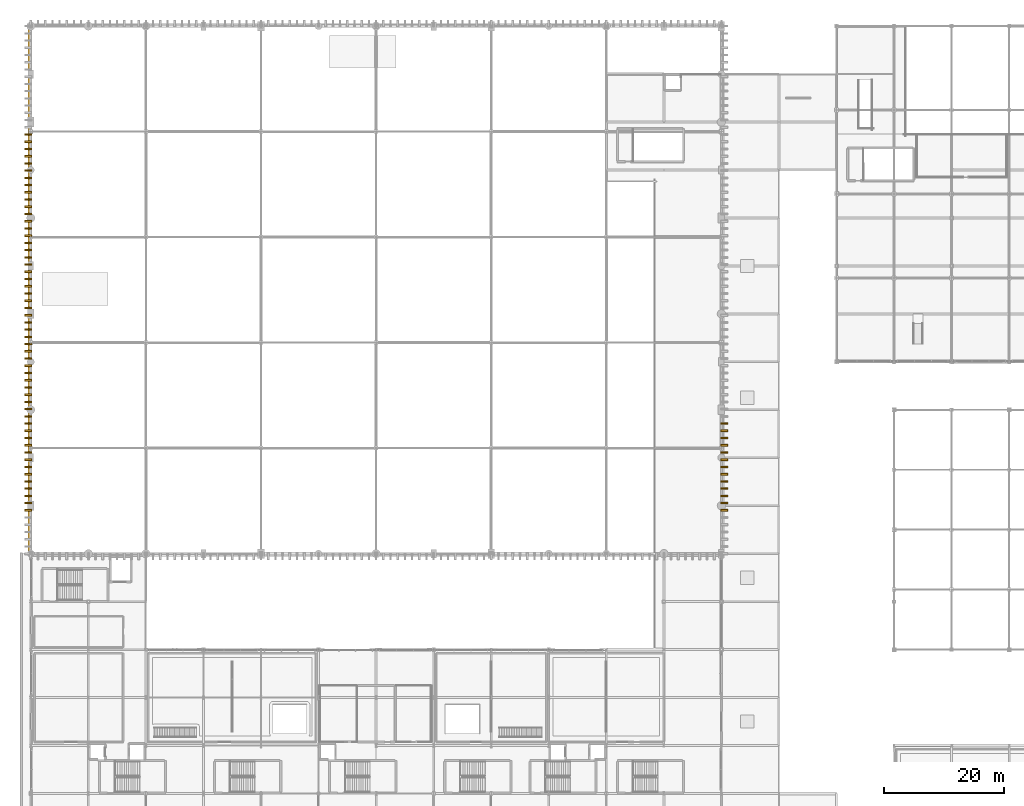
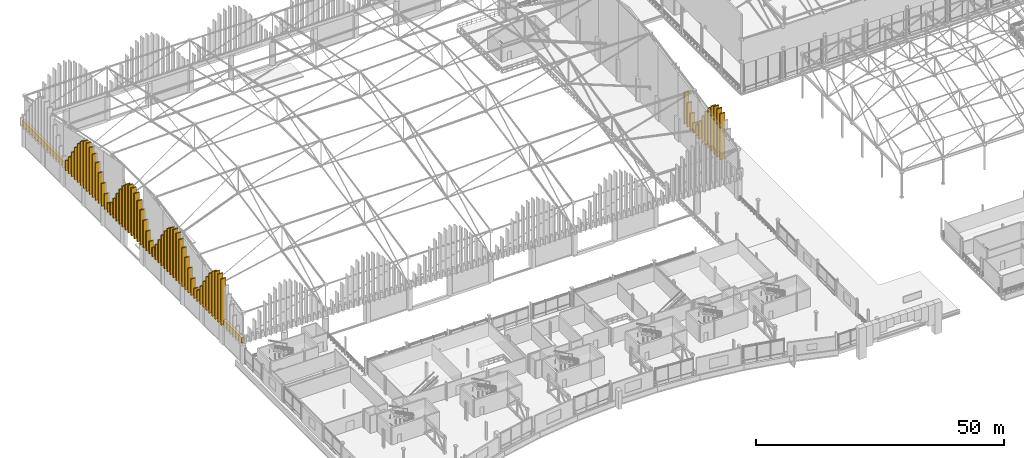
# One storey, part 181 of 193: 67 coverings.
"""IFC4 building model written with IfcOpenShell, lengths in metres."""

from ifc_helpers import new_model, si_unit, direction, frame, origin, origin_2d, place, context, subcontext, project, spatial, rectangle, extrude, material, layer, layer_set, type_object, element, save


model = new_model("IFC4")

# Units and contexts
model_context = context("Model", 3, precision=1e-05, world=origin(), true_north=direction((0.0, 1.0)))
body_context = subcontext(model_context, "Body", "Model", "MODEL_VIEW")
ifc_project = project(units=[si_unit("LENGTHUNIT", "METRE"), si_unit("AREAUNIT", "SQUARE_METRE"), si_unit("VOLUMEUNIT", "CUBIC_METRE"), si_unit("PLANEANGLEUNIT", "RADIAN"), si_unit("MASSUNIT", "GRAM", prefix="KILO")], contexts=[model_context])

# Site, building, storey
site_placement = place(None, origin())
site = spatial("IfcSite", under=ifc_project, at=site_placement, CompositionType="ELEMENT")
building_placement = place(site_placement, origin())
building = spatial("IfcBuilding", under=site, at=building_placement, Name="Danafjord Basin Convention Centre", CompositionType="ELEMENT")
storey_placement = place(building_placement, frame((0.0, 0.0, 11.39990234375)))
storey = spatial("IfcBuildingStorey", under=building, at=storey_placement, Name="L02", CompositionType="ELEMENT", Elevation=11.39990234375)

# Coverings
ifc_material = material(Name="Architectural white precast concrete C45/55", Category="concrete")
ifc_layer_1 = layer(ifc_material, 0.320068359375)
ifc_layer_set_1 = layer_set([ifc_layer_1], Name="Architectural white precast concrete C45/55")
covering_type_1 = type_object("IfcCoveringType", Name="COV-BAND-HORIZ", PredefinedType="CLADDING", material=ifc_layer_set_1)
covering_1_placement = place(storey_placement, frame((-0.159912109375, 100.0, 5.0), z_axis=(0.0, 0.0, 1.0), x_axis=(0.0, 1.0, 0.0)))
element("IfcCovering", 1, at=covering_1_placement, inside=storey, type_object=covering_type_1, Name="V1 W mountain-ridge fin screen structural carrier fascia", PredefinedType="CLADDING", context=body_context, shape_type="SweptSolid", body=[
    extrude(rectangle(XDim=88.39990234375, YDim=0.6201171875, at=origin_2d()), origin(), (0.0, 0.0, 1.0), 1.300048828125),
])
ifc_layer_2 = layer(ifc_material, 0.280029296875)
ifc_layer_set_2 = layer_set([ifc_layer_2], Name="Architectural white precast concrete C45/55")
covering_type_2 = type_object("IfcCoveringType", Name="COV-FIN-RIDGE", PredefinedType="CLADDING", material=ifc_layer_set_2)
covering_2_placement = place(storey_placement, frame((-0.449951171875, 63.23291015625, 5.150390625), z_axis=(0.0, 0.0, 1.0), x_axis=(1.0, 0.0, 0.0)))
element("IfcCovering", 2, at=covering_2_placement, inside=storey, type_object=covering_type_2, Name="V1 W white vertical mountain-ridge fin 201", PredefinedType="CLADDING", context=body_context, shape_type="SweptSolid", body=[
    extrude(rectangle(XDim=1.139892578125, YDim=0.280029296875, at=origin_2d()), origin(), (0.0, 0.0, 1.0), 11.357666015625),
])
covering_3_placement = place(storey_placement, frame((-0.449951171875, 64.4384765625, 5.150390625), z_axis=(0.0, 0.0, 1.0), x_axis=(1.0, 0.0, 0.0)))
element("IfcCovering", 3, at=covering_3_placement, inside=storey, type_object=covering_type_2, Name="V1 W white vertical mountain-ridge fin 202", PredefinedType="CLADDING", context=body_context, shape_type="SweptSolid", body=[
    extrude(rectangle(XDim=1.139892578125, YDim=0.280029296875, at=origin_2d()), origin(), (0.0, 0.0, 1.0), 11.823486328125),
])
covering_4_placement = place(storey_placement, frame((-0.449951171875, 65.643798828125, 5.150146484375), z_axis=(0.0, 0.0, 1.0), x_axis=(1.0, 0.0, 0.0)))
element("IfcCovering", 4, at=covering_4_placement, inside=storey, type_object=covering_type_2, Name="V1 W white vertical mountain-ridge fin 203", PredefinedType="CLADDING", context=body_context, shape_type="SweptSolid", body=[
    extrude(rectangle(XDim=1.139892578125, YDim=0.280029296875, at=origin_2d()), origin(), (0.0, 0.0, 1.0), 11.7060546875),
])
covering_5_placement = place(storey_placement, frame((-0.449951171875, 66.849365234375, 5.150146484375), z_axis=(0.0, 0.0, 1.0), x_axis=(1.0, 0.0, 0.0)))
element("IfcCovering", 5, at=covering_5_placement, inside=storey, type_object=covering_type_2, Name="V1 W white vertical mountain-ridge fin 204", PredefinedType="CLADDING", context=body_context, shape_type="SweptSolid", body=[
    extrude(rectangle(XDim=1.139892578125, YDim=0.280029296875, at=origin_2d()), origin(), (0.0, 0.0, 1.0), 11.015625),
])
covering_6_placement = place(storey_placement, frame((-0.449951171875, 68.0546875, 5.14990234375), z_axis=(0.0, 0.0, 1.0), x_axis=(1.0, 0.0, 0.0)))
element("IfcCovering", 6, at=covering_6_placement, inside=storey, type_object=covering_type_2, Name="V1 W white vertical mountain-ridge fin 205", PredefinedType="CLADDING", context=body_context, shape_type="SweptSolid", body=[
    extrude(rectangle(XDim=1.139892578125, YDim=0.280029296875, at=origin_2d()), origin(), (0.0, 0.0, 1.0), 9.813232421875),
])
covering_7_placement = place(storey_placement, frame((-0.449951171875, 69.26025390625, 5.150146484375), z_axis=(0.0, 0.0, 1.0), x_axis=(1.0, 0.0, 0.0)))
element("IfcCovering", 7, at=covering_7_placement, inside=storey, type_object=covering_type_2, Name="V1 W white vertical mountain-ridge fin 206", PredefinedType="CLADDING", context=body_context, shape_type="SweptSolid", body=[
    extrude(rectangle(XDim=1.139892578125, YDim=0.280029296875, at=origin_2d()), origin(), (0.0, 0.0, 1.0), 8.20751953125),
])
covering_8_placement = place(storey_placement, frame((-0.449951171875, 70.4658203125, 5.150390625), z_axis=(0.0, 0.0, 1.0), x_axis=(1.0, 0.0, 0.0)))
element("IfcCovering", 8, at=covering_8_placement, inside=storey, type_object=covering_type_2, Name="V1 W white vertical mountain-ridge fin 207", PredefinedType="CLADDING", context=body_context, shape_type="SweptSolid", body=[
    extrude(rectangle(XDim=1.139892578125, YDim=0.280029296875, at=origin_2d()), origin(), (0.0, 0.0, 1.0), 6.350830078125),
])
covering_9_placement = place(storey_placement, frame((-0.449951171875, 71.671142578125, 5.150146484375), z_axis=(0.0, 0.0, 1.0), x_axis=(1.0, 0.0, 0.0)))
element("IfcCovering", 9, at=covering_9_placement, inside=storey, type_object=covering_type_2, Name="V1 W white vertical mountain-ridge fin 208", PredefinedType="CLADDING", context=body_context, shape_type="SweptSolid", body=[
    extrude(rectangle(XDim=1.139892578125, YDim=0.280029296875, at=origin_2d()), origin(), (0.0, 0.0, 1.0), 4.43798828125),
])
covering_10_placement = place(storey_placement, frame((-0.449951171875, 72.876708984375, 5.14990234375), z_axis=(0.0, 0.0, 1.0), x_axis=(1.0, 0.0, 0.0)))
element("IfcCovering", 10, at=covering_10_placement, inside=storey, type_object=covering_type_2, Name="V1 W white vertical mountain-ridge fin 209", PredefinedType="CLADDING", context=body_context, shape_type="SweptSolid", body=[
    extrude(rectangle(XDim=1.139892578125, YDim=0.280029296875, at=origin_2d()), origin(), (0.0, 0.0, 1.0), 2.732177734375),
])
covering_11_placement = place(storey_placement, frame((-0.449951171875, 74.082275390625, 5.14990234375), z_axis=(0.0, 0.0, 1.0), x_axis=(1.0, 0.0, 0.0)))
element("IfcCovering", 11, at=covering_11_placement, inside=storey, type_object=covering_type_2, Name="V1 W white vertical mountain-ridge fin 210", PredefinedType="CLADDING", context=body_context, shape_type="SweptSolid", body=[
    extrude(rectangle(XDim=1.139892578125, YDim=0.280029296875, at=origin_2d()), origin(), (0.0, 0.0, 1.0), 2.45361328125),
])
covering_12_placement = place(storey_placement, frame((-0.449951171875, 75.28759765625, 5.14990234375), z_axis=(0.0, 0.0, 1.0), x_axis=(1.0, 0.0, 0.0)))
element("IfcCovering", 12, at=covering_12_placement, inside=storey, type_object=covering_type_2, Name="V1 W white vertical mountain-ridge fin 211", PredefinedType="CLADDING", context=body_context, shape_type="SweptSolid", body=[
    extrude(rectangle(XDim=1.139892578125, YDim=0.280029296875, at=origin_2d()), origin(), (0.0, 0.0, 1.0), 4.069580078125),
])
covering_13_placement = place(storey_placement, frame((-0.449951171875, 76.4931640625, 5.150146484375), z_axis=(0.0, 0.0, 1.0), x_axis=(1.0, 0.0, 0.0)))
element("IfcCovering", 13, at=covering_13_placement, inside=storey, type_object=covering_type_2, Name="V1 W white vertical mountain-ridge fin 212", PredefinedType="CLADDING", context=body_context, shape_type="SweptSolid", body=[
    extrude(rectangle(XDim=1.139892578125, YDim=0.280029296875, at=origin_2d()), origin(), (0.0, 0.0, 1.0), 5.9658203125),
])
covering_14_placement = place(storey_placement, frame((-0.449951171875, 77.698486328125, 5.14990234375), z_axis=(0.0, 0.0, 1.0), x_axis=(1.0, 0.0, 0.0)))
element("IfcCovering", 14, at=covering_14_placement, inside=storey, type_object=covering_type_2, Name="V1 W white vertical mountain-ridge fin 213", PredefinedType="CLADDING", context=body_context, shape_type="SweptSolid", body=[
    extrude(rectangle(XDim=1.139892578125, YDim=0.280029296875, at=origin_2d()), origin(), (0.0, 0.0, 1.0), 7.850830078125),
])
covering_15_placement = place(storey_placement, frame((-0.449951171875, 78.904052734375, 5.150146484375), z_axis=(0.0, 0.0, 1.0), x_axis=(1.0, 0.0, 0.0)))
element("IfcCovering", 15, at=covering_15_placement, inside=storey, type_object=covering_type_2, Name="V1 W white vertical mountain-ridge fin 214", PredefinedType="CLADDING", context=body_context, shape_type="SweptSolid", body=[
    extrude(rectangle(XDim=1.139892578125, YDim=0.280029296875, at=origin_2d()), origin(), (0.0, 0.0, 1.0), 9.52001953125),
])
covering_16_placement = place(storey_placement, frame((-0.449951171875, 80.109619140625, 5.14990234375), z_axis=(0.0, 0.0, 1.0), x_axis=(1.0, 0.0, 0.0)))
element("IfcCovering", 16, at=covering_16_placement, inside=storey, type_object=covering_type_2, Name="V1 W white vertical mountain-ridge fin 215", PredefinedType="CLADDING", context=body_context, shape_type="SweptSolid", body=[
    extrude(rectangle(XDim=1.139892578125, YDim=0.280029296875, at=origin_2d()), origin(), (0.0, 0.0, 1.0), 10.813232421875),
])
covering_17_placement = place(storey_placement, frame((-0.449951171875, 81.315185546875, 5.14990234375), z_axis=(0.0, 0.0, 1.0), x_axis=(1.0, 0.0, 0.0)))
element("IfcCovering", 17, at=covering_17_placement, inside=storey, type_object=covering_type_2, Name="V1 W white vertical mountain-ridge fin 216", PredefinedType="CLADDING", context=body_context, shape_type="SweptSolid", body=[
    extrude(rectangle(XDim=1.139892578125, YDim=0.280029296875, at=origin_2d()), origin(), (0.0, 0.0, 1.0), 11.612548828125),
])
covering_18_placement = place(storey_placement, frame((-0.449951171875, 82.5205078125, 5.14990234375), z_axis=(0.0, 0.0, 1.0), x_axis=(1.0, 0.0, 0.0)))
element("IfcCovering", 18, at=covering_18_placement, inside=storey, type_object=covering_type_2, Name="V1 W white vertical mountain-ridge fin 217", PredefinedType="CLADDING", context=body_context, shape_type="SweptSolid", body=[
    extrude(rectangle(XDim=1.139892578125, YDim=0.280029296875, at=origin_2d()), origin(), (0.0, 0.0, 1.0), 11.84716796875),
])
covering_19_placement = place(storey_placement, frame((-0.449951171875, 83.72607421875, 5.14990234375), z_axis=(0.0, 0.0, 1.0), x_axis=(1.0, 0.0, 0.0)))
element("IfcCovering", 19, at=covering_19_placement, inside=storey, type_object=covering_type_2, Name="V1 W white vertical mountain-ridge fin 218", PredefinedType="CLADDING", context=body_context, shape_type="SweptSolid", body=[
    extrude(rectangle(XDim=1.139892578125, YDim=0.280029296875, at=origin_2d()), origin(), (0.0, 0.0, 1.0), 11.496337890625),
])
covering_20_placement = place(storey_placement, frame((-0.449951171875, 84.931396484375, 5.14990234375), z_axis=(0.0, 0.0, 1.0), x_axis=(1.0, 0.0, 0.0)))
element("IfcCovering", 20, at=covering_20_placement, inside=storey, type_object=covering_type_2, Name="V1 W white vertical mountain-ridge fin 219", PredefinedType="CLADDING", context=body_context, shape_type="SweptSolid", body=[
    extrude(rectangle(XDim=1.139892578125, YDim=0.280029296875, at=origin_2d()), origin(), (0.0, 0.0, 1.0), 10.591064453125),
])
covering_21_placement = place(storey_placement, frame((-0.449951171875, 86.136962890625, 5.150146484375), z_axis=(0.0, 0.0, 1.0), x_axis=(1.0, 0.0, 0.0)))
element("IfcCovering", 21, at=covering_21_placement, inside=storey, type_object=covering_type_2, Name="V1 W white vertical mountain-ridge fin 220", PredefinedType="CLADDING", context=body_context, shape_type="SweptSolid", body=[
    extrude(rectangle(XDim=1.139892578125, YDim=0.280029296875, at=origin_2d()), origin(), (0.0, 0.0, 1.0), 9.2119140625),
])
covering_22_placement = place(storey_placement, frame((-0.449951171875, 87.342529296875, 5.14990234375), z_axis=(0.0, 0.0, 1.0), x_axis=(1.0, 0.0, 0.0)))
element("IfcCovering", 22, at=covering_22_placement, inside=storey, type_object=covering_type_2, Name="V1 W white vertical mountain-ridge fin 221", PredefinedType="CLADDING", context=body_context, shape_type="SweptSolid", body=[
    extrude(rectangle(XDim=1.139892578125, YDim=0.280029296875, at=origin_2d()), origin(), (0.0, 0.0, 1.0), 7.485107421875),
])
covering_23_placement = place(storey_placement, frame((-0.449951171875, 88.5478515625, 5.150146484375), z_axis=(0.0, 0.0, 1.0), x_axis=(1.0, 0.0, 0.0)))
element("IfcCovering", 23, at=covering_23_placement, inside=storey, type_object=covering_type_2, Name="V1 W white vertical mountain-ridge fin 222", PredefinedType="CLADDING", context=body_context, shape_type="SweptSolid", body=[
    extrude(rectangle(XDim=1.139892578125, YDim=0.280029296875, at=origin_2d()), origin(), (0.0, 0.0, 1.0), 5.580078125),
])
covering_24_placement = place(storey_placement, frame((-0.449951171875, 89.75341796875, 5.14990234375), z_axis=(0.0, 0.0, 1.0), x_axis=(1.0, 0.0, 0.0)))
element("IfcCovering", 24, at=covering_24_placement, inside=storey, type_object=covering_type_2, Name="V1 W white vertical mountain-ridge fin 223", PredefinedType="CLADDING", context=body_context, shape_type="SweptSolid", body=[
    extrude(rectangle(XDim=1.139892578125, YDim=0.280029296875, at=origin_2d()), origin(), (0.0, 0.0, 1.0), 3.711669921875),
])
covering_25_placement = place(storey_placement, frame((-0.449951171875, 90.958984375, 5.14990234375), z_axis=(0.0, 0.0, 1.0), x_axis=(1.0, 0.0, 0.0)))
element("IfcCovering", 25, at=covering_25_placement, inside=storey, type_object=covering_type_2, Name="V1 W white vertical mountain-ridge fin 224", PredefinedType="CLADDING", context=body_context, shape_type="SweptSolid", body=[
    extrude(rectangle(XDim=1.139892578125, YDim=0.280029296875, at=origin_2d()), origin(), (0.0, 0.0, 1.0), 2.214111328125),
])
covering_26_placement = place(storey_placement, frame((-0.449951171875, 92.164306640625, 5.14990234375), z_axis=(0.0, 0.0, 1.0), x_axis=(1.0, 0.0, 0.0)))
element("IfcCovering", 26, at=covering_26_placement, inside=storey, type_object=covering_type_2, Name="V1 W white vertical mountain-ridge fin 225", PredefinedType="CLADDING", context=body_context, shape_type="SweptSolid", body=[
    extrude(rectangle(XDim=1.139892578125, YDim=0.280029296875, at=origin_2d()), origin(), (0.0, 0.0, 1.0), 3.038818359375),
])
covering_27_placement = place(storey_placement, frame((-0.449951171875, 93.369873046875, 5.150146484375), z_axis=(0.0, 0.0, 1.0), x_axis=(1.0, 0.0, 0.0)))
element("IfcCovering", 27, at=covering_27_placement, inside=storey, type_object=covering_type_2, Name="V1 W white vertical mountain-ridge fin 226", PredefinedType="CLADDING", context=body_context, shape_type="SweptSolid", body=[
    extrude(rectangle(XDim=1.139892578125, YDim=0.280029296875, at=origin_2d()), origin(), (0.0, 0.0, 1.0), 4.81396484375),
])
covering_28_placement = place(storey_placement, frame((-0.449951171875, 94.5751953125, 5.14990234375), z_axis=(0.0, 0.0, 1.0), x_axis=(1.0, 0.0, 0.0)))
element("IfcCovering", 28, at=covering_28_placement, inside=storey, type_object=covering_type_2, Name="V1 W white vertical mountain-ridge fin 227", PredefinedType="CLADDING", context=body_context, shape_type="SweptSolid", body=[
    extrude(rectangle(XDim=1.139892578125, YDim=0.280029296875, at=origin_2d()), origin(), (0.0, 0.0, 1.0), 6.733642578125),
])
covering_29_placement = place(storey_placement, frame((-0.449951171875, 95.78076171875, 5.150146484375), z_axis=(0.0, 0.0, 1.0), x_axis=(1.0, 0.0, 0.0)))
element("IfcCovering", 29, at=covering_29_placement, inside=storey, type_object=covering_type_2, Name="V1 W white vertical mountain-ridge fin 228", PredefinedType="CLADDING", context=body_context, shape_type="SweptSolid", body=[
    extrude(rectangle(XDim=1.139892578125, YDim=0.280029296875, at=origin_2d()), origin(), (0.0, 0.0, 1.0), 8.55419921875),
])
covering_30_placement = place(storey_placement, frame((-0.449951171875, 96.986328125, 5.150390625), z_axis=(0.0, 0.0, 1.0), x_axis=(1.0, 0.0, 0.0)))
element("IfcCovering", 30, at=covering_30_placement, inside=storey, type_object=covering_type_2, Name="V1 W white vertical mountain-ridge fin 229", PredefinedType="CLADDING", context=body_context, shape_type="SweptSolid", body=[
    extrude(rectangle(XDim=1.139892578125, YDim=0.280029296875, at=origin_2d()), origin(), (0.0, 0.0, 1.0), 10.090087890625),
])
covering_31_placement = place(storey_placement, frame((-0.449951171875, 98.19189453125, 5.150146484375), z_axis=(0.0, 0.0, 1.0), x_axis=(1.0, 0.0, 0.0)))
element("IfcCovering", 31, at=covering_31_placement, inside=storey, type_object=covering_type_2, Name="V1 W white vertical mountain-ridge fin 230", PredefinedType="CLADDING", context=body_context, shape_type="SweptSolid", body=[
    extrude(rectangle(XDim=1.139892578125, YDim=0.280029296875, at=origin_2d()), origin(), (0.0, 0.0, 1.0), 11.197265625),
])
for number, where, z_axis, x_axis, name in (
    (32, (-0.449951171875, 99.397216796875, 5.150146484375), (0.0, 0.0, 1.0), (1.0, 0.0, 0.0), "V1 W white vertical mountain-ridge fin 231"),
    (33, (-0.449951171875, 100.602783203125, 5.150146484375), (0.0, 0.0, 1.0), (1.0, 0.0, 0.0), "V1 W white vertical mountain-ridge fin 232"),
):
    element("IfcCovering", number, at=place(storey_placement, frame(where, z_axis=z_axis, x_axis=x_axis)), inside=storey, type_object=covering_type_2, Name=name, PredefinedType="CLADDING", context=body_context, shape_type="SweptSolid", body=[
        extrude(rectangle(XDim=1.139892578125, YDim=0.280029296875, at=origin_2d()), origin(), (0.0, 0.0, 1.0), 11.7763671875),
    ])
covering_32_placement = place(storey_placement, frame((-0.449951171875, 101.80810546875, 5.150146484375), z_axis=(0.0, 0.0, 1.0), x_axis=(1.0, 0.0, 0.0)))
element("IfcCovering", 34, at=covering_32_placement, inside=storey, type_object=covering_type_2, Name="V1 W white vertical mountain-ridge fin 233", PredefinedType="CLADDING", context=body_context, shape_type="SweptSolid", body=[
    extrude(rectangle(XDim=1.139892578125, YDim=0.280029296875, at=origin_2d()), origin(), (0.0, 0.0, 1.0), 11.197265625),
])
covering_33_placement = place(storey_placement, frame((-0.449951171875, 103.013671875, 5.150390625), z_axis=(0.0, 0.0, 1.0), x_axis=(1.0, 0.0, 0.0)))
element("IfcCovering", 35, at=covering_33_placement, inside=storey, type_object=covering_type_2, Name="V1 W white vertical mountain-ridge fin 234", PredefinedType="CLADDING", context=body_context, shape_type="SweptSolid", body=[
    extrude(rectangle(XDim=1.139892578125, YDim=0.280029296875, at=origin_2d()), origin(), (0.0, 0.0, 1.0), 10.090087890625),
])
covering_34_placement = place(storey_placement, frame((-0.449951171875, 104.21923828125, 5.150146484375), z_axis=(0.0, 0.0, 1.0), x_axis=(1.0, 0.0, 0.0)))
element("IfcCovering", 36, at=covering_34_placement, inside=storey, type_object=covering_type_2, Name="V1 W white vertical mountain-ridge fin 235", PredefinedType="CLADDING", context=body_context, shape_type="SweptSolid", body=[
    extrude(rectangle(XDim=1.139892578125, YDim=0.280029296875, at=origin_2d()), origin(), (0.0, 0.0, 1.0), 8.55419921875),
])
covering_35_placement = place(storey_placement, frame((-0.449951171875, 105.4248046875, 5.14990234375), z_axis=(0.0, 0.0, 1.0), x_axis=(1.0, 0.0, 0.0)))
element("IfcCovering", 37, at=covering_35_placement, inside=storey, type_object=covering_type_2, Name="V1 W white vertical mountain-ridge fin 236", PredefinedType="CLADDING", context=body_context, shape_type="SweptSolid", body=[
    extrude(rectangle(XDim=1.139892578125, YDim=0.280029296875, at=origin_2d()), origin(), (0.0, 0.0, 1.0), 6.733642578125),
])
covering_36_placement = place(storey_placement, frame((-0.449951171875, 106.630126953125, 5.150146484375), z_axis=(0.0, 0.0, 1.0), x_axis=(1.0, 0.0, 0.0)))
element("IfcCovering", 38, at=covering_36_placement, inside=storey, type_object=covering_type_2, Name="V1 W white vertical mountain-ridge fin 237", PredefinedType="CLADDING", context=body_context, shape_type="SweptSolid", body=[
    extrude(rectangle(XDim=1.139892578125, YDim=0.280029296875, at=origin_2d()), origin(), (0.0, 0.0, 1.0), 4.81396484375),
])
covering_37_placement = place(storey_placement, frame((-0.449951171875, 107.835693359375, 5.14990234375), z_axis=(0.0, 0.0, 1.0), x_axis=(1.0, 0.0, 0.0)))
element("IfcCovering", 39, at=covering_37_placement, inside=storey, type_object=covering_type_2, Name="V1 W white vertical mountain-ridge fin 238", PredefinedType="CLADDING", context=body_context, shape_type="SweptSolid", body=[
    extrude(rectangle(XDim=1.139892578125, YDim=0.280029296875, at=origin_2d()), origin(), (0.0, 0.0, 1.0), 3.038818359375),
])
covering_38_placement = place(storey_placement, frame((-0.449951171875, 109.041015625, 5.14990234375), z_axis=(0.0, 0.0, 1.0), x_axis=(1.0, 0.0, 0.0)))
element("IfcCovering", 40, at=covering_38_placement, inside=storey, type_object=covering_type_2, Name="V1 W white vertical mountain-ridge fin 239", PredefinedType="CLADDING", context=body_context, shape_type="SweptSolid", body=[
    extrude(rectangle(XDim=1.139892578125, YDim=0.280029296875, at=origin_2d()), origin(), (0.0, 0.0, 1.0), 2.214111328125),
])
covering_39_placement = place(storey_placement, frame((-0.449951171875, 110.24658203125, 5.14990234375), z_axis=(0.0, 0.0, 1.0), x_axis=(1.0, 0.0, 0.0)))
element("IfcCovering", 41, at=covering_39_placement, inside=storey, type_object=covering_type_2, Name="V1 W white vertical mountain-ridge fin 240", PredefinedType="CLADDING", context=body_context, shape_type="SweptSolid", body=[
    extrude(rectangle(XDim=1.139892578125, YDim=0.280029296875, at=origin_2d()), origin(), (0.0, 0.0, 1.0), 3.711669921875),
])
covering_40_placement = place(storey_placement, frame((-0.449951171875, 111.4521484375, 5.150146484375), z_axis=(0.0, 0.0, 1.0), x_axis=(1.0, 0.0, 0.0)))
element("IfcCovering", 42, at=covering_40_placement, inside=storey, type_object=covering_type_2, Name="V1 W white vertical mountain-ridge fin 241", PredefinedType="CLADDING", context=body_context, shape_type="SweptSolid", body=[
    extrude(rectangle(XDim=1.139892578125, YDim=0.280029296875, at=origin_2d()), origin(), (0.0, 0.0, 1.0), 5.580078125),
])
covering_41_placement = place(storey_placement, frame((-0.449951171875, 112.657470703125, 5.14990234375), z_axis=(0.0, 0.0, 1.0), x_axis=(1.0, 0.0, 0.0)))
element("IfcCovering", 43, at=covering_41_placement, inside=storey, type_object=covering_type_2, Name="V1 W white vertical mountain-ridge fin 242", PredefinedType="CLADDING", context=body_context, shape_type="SweptSolid", body=[
    extrude(rectangle(XDim=1.139892578125, YDim=0.280029296875, at=origin_2d()), origin(), (0.0, 0.0, 1.0), 7.485107421875),
])
covering_42_placement = place(storey_placement, frame((-0.449951171875, 113.863037109375, 5.150146484375), z_axis=(0.0, 0.0, 1.0), x_axis=(1.0, 0.0, 0.0)))
element("IfcCovering", 44, at=covering_42_placement, inside=storey, type_object=covering_type_2, Name="V1 W white vertical mountain-ridge fin 243", PredefinedType="CLADDING", context=body_context, shape_type="SweptSolid", body=[
    extrude(rectangle(XDim=1.139892578125, YDim=0.280029296875, at=origin_2d()), origin(), (0.0, 0.0, 1.0), 9.2119140625),
])
covering_43_placement = place(storey_placement, frame((-0.449951171875, 115.068603515625, 5.14990234375), z_axis=(0.0, 0.0, 1.0), x_axis=(1.0, 0.0, 0.0)))
element("IfcCovering", 45, at=covering_43_placement, inside=storey, type_object=covering_type_2, Name="V1 W white vertical mountain-ridge fin 244", PredefinedType="CLADDING", context=body_context, shape_type="SweptSolid", body=[
    extrude(rectangle(XDim=1.139892578125, YDim=0.280029296875, at=origin_2d()), origin(), (0.0, 0.0, 1.0), 10.591064453125),
])
covering_44_placement = place(storey_placement, frame((-0.449951171875, 116.27392578125, 5.14990234375), z_axis=(0.0, 0.0, 1.0), x_axis=(1.0, 0.0, 0.0)))
element("IfcCovering", 46, at=covering_44_placement, inside=storey, type_object=covering_type_2, Name="V1 W white vertical mountain-ridge fin 245", PredefinedType="CLADDING", context=body_context, shape_type="SweptSolid", body=[
    extrude(rectangle(XDim=1.139892578125, YDim=0.280029296875, at=origin_2d()), origin(), (0.0, 0.0, 1.0), 11.496337890625),
])
covering_45_placement = place(storey_placement, frame((-0.449951171875, 117.4794921875, 5.14990234375), z_axis=(0.0, 0.0, 1.0), x_axis=(1.0, 0.0, 0.0)))
element("IfcCovering", 47, at=covering_45_placement, inside=storey, type_object=covering_type_2, Name="V1 W white vertical mountain-ridge fin 246", PredefinedType="CLADDING", context=body_context, shape_type="SweptSolid", body=[
    extrude(rectangle(XDim=1.139892578125, YDim=0.280029296875, at=origin_2d()), origin(), (0.0, 0.0, 1.0), 11.84716796875),
])
covering_46_placement = place(storey_placement, frame((-0.449951171875, 118.684814453125, 5.14990234375), z_axis=(0.0, 0.0, 1.0), x_axis=(1.0, 0.0, 0.0)))
element("IfcCovering", 48, at=covering_46_placement, inside=storey, type_object=covering_type_2, Name="V1 W white vertical mountain-ridge fin 247", PredefinedType="CLADDING", context=body_context, shape_type="SweptSolid", body=[
    extrude(rectangle(XDim=1.139892578125, YDim=0.280029296875, at=origin_2d()), origin(), (0.0, 0.0, 1.0), 11.612548828125),
])
covering_47_placement = place(storey_placement, frame((-0.449951171875, 119.890380859375, 5.14990234375), z_axis=(0.0, 0.0, 1.0), x_axis=(1.0, 0.0, 0.0)))
element("IfcCovering", 49, at=covering_47_placement, inside=storey, type_object=covering_type_2, Name="V1 W white vertical mountain-ridge fin 248", PredefinedType="CLADDING", context=body_context, shape_type="SweptSolid", body=[
    extrude(rectangle(XDim=1.139892578125, YDim=0.280029296875, at=origin_2d()), origin(), (0.0, 0.0, 1.0), 10.813232421875),
])
covering_48_placement = place(storey_placement, frame((-0.449951171875, 121.095947265625, 5.150146484375), z_axis=(0.0, 0.0, 1.0), x_axis=(1.0, 0.0, 0.0)))
element("IfcCovering", 50, at=covering_48_placement, inside=storey, type_object=covering_type_2, Name="V1 W white vertical mountain-ridge fin 249", PredefinedType="CLADDING", context=body_context, shape_type="SweptSolid", body=[
    extrude(rectangle(XDim=1.139892578125, YDim=0.280029296875, at=origin_2d()), origin(), (0.0, 0.0, 1.0), 9.52001953125),
])
covering_49_placement = place(storey_placement, frame((-0.449951171875, 122.301513671875, 5.14990234375), z_axis=(0.0, 0.0, 1.0), x_axis=(1.0, 0.0, 0.0)))
element("IfcCovering", 51, at=covering_49_placement, inside=storey, type_object=covering_type_2, Name="V1 W white vertical mountain-ridge fin 250", PredefinedType="CLADDING", context=body_context, shape_type="SweptSolid", body=[
    extrude(rectangle(XDim=1.139892578125, YDim=0.280029296875, at=origin_2d()), origin(), (0.0, 0.0, 1.0), 7.850830078125),
])
covering_50_placement = place(storey_placement, frame((-0.449951171875, 123.5068359375, 5.150146484375), z_axis=(0.0, 0.0, 1.0), x_axis=(1.0, 0.0, 0.0)))
element("IfcCovering", 52, at=covering_50_placement, inside=storey, type_object=covering_type_2, Name="V1 W white vertical mountain-ridge fin 251", PredefinedType="CLADDING", context=body_context, shape_type="SweptSolid", body=[
    extrude(rectangle(XDim=1.139892578125, YDim=0.280029296875, at=origin_2d()), origin(), (0.0, 0.0, 1.0), 5.9658203125),
])
covering_51_placement = place(storey_placement, frame((-0.449951171875, 124.71240234375, 5.14990234375), z_axis=(0.0, 0.0, 1.0), x_axis=(1.0, 0.0, 0.0)))
element("IfcCovering", 53, at=covering_51_placement, inside=storey, type_object=covering_type_2, Name="V1 W white vertical mountain-ridge fin 252", PredefinedType="CLADDING", context=body_context, shape_type="SweptSolid", body=[
    extrude(rectangle(XDim=1.139892578125, YDim=0.280029296875, at=origin_2d()), origin(), (0.0, 0.0, 1.0), 4.069580078125),
])
covering_52_placement = place(storey_placement, frame((-0.449951171875, 125.917724609375, 5.14990234375), z_axis=(0.0, 0.0, 1.0), x_axis=(1.0, 0.0, 0.0)))
element("IfcCovering", 54, at=covering_52_placement, inside=storey, type_object=covering_type_2, Name="V1 W white vertical mountain-ridge fin 253", PredefinedType="CLADDING", context=body_context, shape_type="SweptSolid", body=[
    extrude(rectangle(XDim=1.139892578125, YDim=0.280029296875, at=origin_2d()), origin(), (0.0, 0.0, 1.0), 2.45361328125),
])
covering_53_placement = place(storey_placement, frame((115.64990234375, 63.23291015625, 5.150390625), z_axis=(0.0, 0.0, 1.0), x_axis=(1.0, 0.0, 0.0)))
element("IfcCovering", 55, at=covering_53_placement, inside=storey, type_object=covering_type_2, Name="V1 E white vertical mountain-ridge fin 275", PredefinedType="CLADDING", context=body_context, shape_type="SweptSolid", body=[
    extrude(rectangle(XDim=1.139892578125, YDim=0.280029296875, at=origin_2d()), origin(), (0.0, 0.0, 1.0), 11.357666015625),
])
covering_54_placement = place(storey_placement, frame((115.64990234375, 64.4384765625, 5.150390625), z_axis=(0.0, 0.0, 1.0), x_axis=(1.0, 0.0, 0.0)))
element("IfcCovering", 56, at=covering_54_placement, inside=storey, type_object=covering_type_2, Name="V1 E white vertical mountain-ridge fin 276", PredefinedType="CLADDING", context=body_context, shape_type="SweptSolid", body=[
    extrude(rectangle(XDim=1.139892578125, YDim=0.280029296875, at=origin_2d()), origin(), (0.0, 0.0, 1.0), 11.823486328125),
])
covering_55_placement = place(storey_placement, frame((115.64990234375, 65.643798828125, 5.150146484375), z_axis=(0.0, 0.0, 1.0), x_axis=(1.0, 0.0, 0.0)))
element("IfcCovering", 57, at=covering_55_placement, inside=storey, type_object=covering_type_2, Name="V1 E white vertical mountain-ridge fin 277", PredefinedType="CLADDING", context=body_context, shape_type="SweptSolid", body=[
    extrude(rectangle(XDim=1.139892578125, YDim=0.280029296875, at=origin_2d()), origin(), (0.0, 0.0, 1.0), 11.7060546875),
])
covering_56_placement = place(storey_placement, frame((115.64990234375, 66.849365234375, 5.150146484375), z_axis=(0.0, 0.0, 1.0), x_axis=(1.0, 0.0, 0.0)))
element("IfcCovering", 58, at=covering_56_placement, inside=storey, type_object=covering_type_2, Name="V1 E white vertical mountain-ridge fin 278", PredefinedType="CLADDING", context=body_context, shape_type="SweptSolid", body=[
    extrude(rectangle(XDim=1.139892578125, YDim=0.280029296875, at=origin_2d()), origin(), (0.0, 0.0, 1.0), 11.015625),
])
covering_57_placement = place(storey_placement, frame((115.64990234375, 68.0546875, 5.14990234375), z_axis=(0.0, 0.0, 1.0), x_axis=(1.0, 0.0, 0.0)))
element("IfcCovering", 59, at=covering_57_placement, inside=storey, type_object=covering_type_2, Name="V1 E white vertical mountain-ridge fin 279", PredefinedType="CLADDING", context=body_context, shape_type="SweptSolid", body=[
    extrude(rectangle(XDim=1.139892578125, YDim=0.280029296875, at=origin_2d()), origin(), (0.0, 0.0, 1.0), 9.813232421875),
])
covering_58_placement = place(storey_placement, frame((115.64990234375, 69.26025390625, 5.150146484375), z_axis=(0.0, 0.0, 1.0), x_axis=(1.0, 0.0, 0.0)))
element("IfcCovering", 60, at=covering_58_placement, inside=storey, type_object=covering_type_2, Name="V1 E white vertical mountain-ridge fin 280", PredefinedType="CLADDING", context=body_context, shape_type="SweptSolid", body=[
    extrude(rectangle(XDim=1.139892578125, YDim=0.280029296875, at=origin_2d()), origin(), (0.0, 0.0, 1.0), 8.20751953125),
])
covering_59_placement = place(storey_placement, frame((115.64990234375, 70.4658203125, 5.150390625), z_axis=(0.0, 0.0, 1.0), x_axis=(1.0, 0.0, 0.0)))
element("IfcCovering", 61, at=covering_59_placement, inside=storey, type_object=covering_type_2, Name="V1 E white vertical mountain-ridge fin 281", PredefinedType="CLADDING", context=body_context, shape_type="SweptSolid", body=[
    extrude(rectangle(XDim=1.139892578125, YDim=0.280029296875, at=origin_2d()), origin(), (0.0, 0.0, 1.0), 6.350830078125),
])
covering_60_placement = place(storey_placement, frame((115.64990234375, 71.671142578125, 5.150146484375), z_axis=(0.0, 0.0, 1.0), x_axis=(1.0, 0.0, 0.0)))
element("IfcCovering", 62, at=covering_60_placement, inside=storey, type_object=covering_type_2, Name="V1 E white vertical mountain-ridge fin 282", PredefinedType="CLADDING", context=body_context, shape_type="SweptSolid", body=[
    extrude(rectangle(XDim=1.139892578125, YDim=0.280029296875, at=origin_2d()), origin(), (0.0, 0.0, 1.0), 4.43798828125),
])
covering_61_placement = place(storey_placement, frame((115.64990234375, 72.876708984375, 5.14990234375), z_axis=(0.0, 0.0, 1.0), x_axis=(1.0, 0.0, 0.0)))
element("IfcCovering", 63, at=covering_61_placement, inside=storey, type_object=covering_type_2, Name="V1 E white vertical mountain-ridge fin 283", PredefinedType="CLADDING", context=body_context, shape_type="SweptSolid", body=[
    extrude(rectangle(XDim=1.139892578125, YDim=0.280029296875, at=origin_2d()), origin(), (0.0, 0.0, 1.0), 2.732177734375),
])
covering_62_placement = place(storey_placement, frame((115.64990234375, 74.082275390625, 5.14990234375), z_axis=(0.0, 0.0, 1.0), x_axis=(1.0, 0.0, 0.0)))
element("IfcCovering", 64, at=covering_62_placement, inside=storey, type_object=covering_type_2, Name="V1 E white vertical mountain-ridge fin 284", PredefinedType="CLADDING", context=body_context, shape_type="SweptSolid", body=[
    extrude(rectangle(XDim=1.139892578125, YDim=0.280029296875, at=origin_2d()), origin(), (0.0, 0.0, 1.0), 2.45361328125),
])
covering_63_placement = place(storey_placement, frame((115.64990234375, 75.28759765625, 5.14990234375), z_axis=(0.0, 0.0, 1.0), x_axis=(1.0, 0.0, 0.0)))
element("IfcCovering", 65, at=covering_63_placement, inside=storey, type_object=covering_type_2, Name="V1 E white vertical mountain-ridge fin 285", PredefinedType="CLADDING", context=body_context, shape_type="SweptSolid", body=[
    extrude(rectangle(XDim=1.139892578125, YDim=0.280029296875, at=origin_2d()), origin(), (0.0, 0.0, 1.0), 4.069580078125),
])
covering_64_placement = place(storey_placement, frame((115.64990234375, 76.4931640625, 5.150146484375), z_axis=(0.0, 0.0, 1.0), x_axis=(1.0, 0.0, 0.0)))
element("IfcCovering", 66, at=covering_64_placement, inside=storey, type_object=covering_type_2, Name="V1 E white vertical mountain-ridge fin 286", PredefinedType="CLADDING", context=body_context, shape_type="SweptSolid", body=[
    extrude(rectangle(XDim=1.139892578125, YDim=0.280029296875, at=origin_2d()), origin(), (0.0, 0.0, 1.0), 5.9658203125),
])
covering_65_placement = place(storey_placement, frame((115.64990234375, 77.698486328125, 5.14990234375), z_axis=(0.0, 0.0, 1.0), x_axis=(1.0, 0.0, 0.0)))
element("IfcCovering", 67, at=covering_65_placement, inside=storey, type_object=covering_type_2, Name="V1 E white vertical mountain-ridge fin 287", PredefinedType="CLADDING", context=body_context, shape_type="SweptSolid", body=[
    extrude(rectangle(XDim=1.139892578125, YDim=0.280029296875, at=origin_2d()), origin(), (0.0, 0.0, 1.0), 7.850830078125),
])

save(model, "model.ifc")
